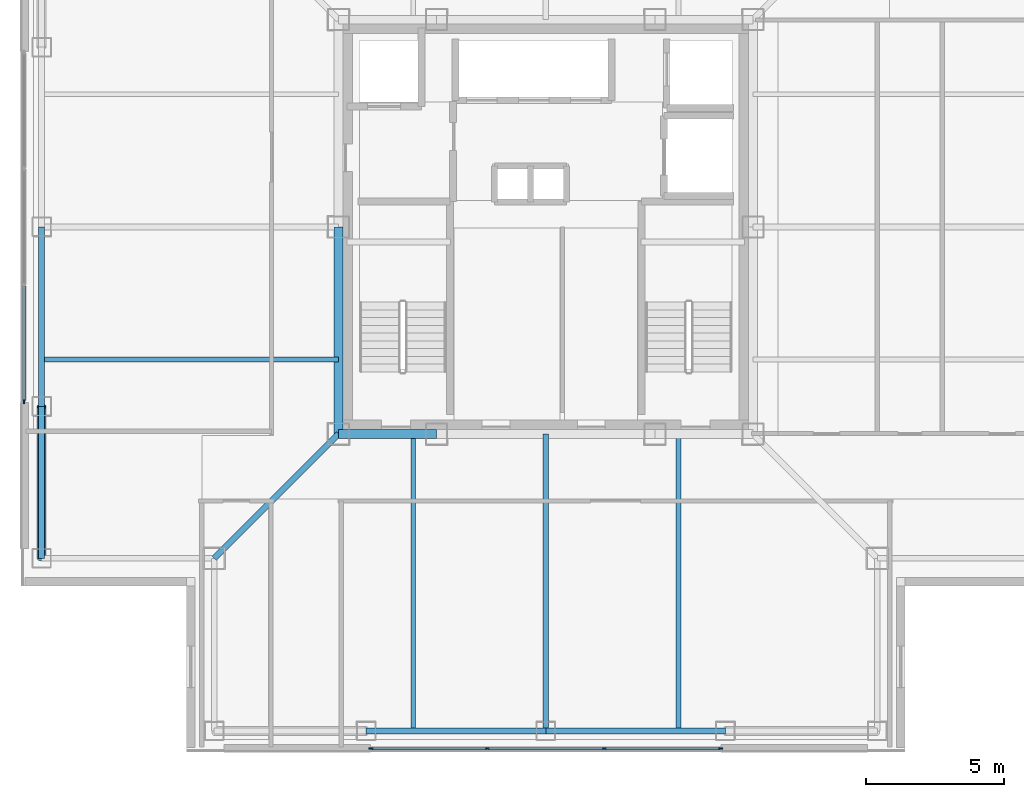
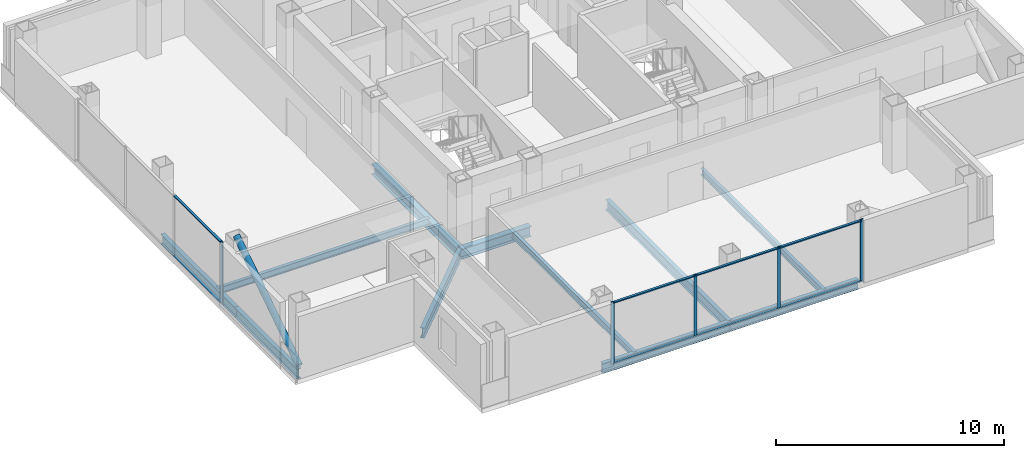
# One storey, part 2 of 16: 14 members, 11 beams, 2 elements without a shape of their own.
"""IFC4 building model written with IfcOpenShell, lengths in metres."""

from ifc_helpers import new_model, si_unit, direction, frame, origin, origin_2d, place, context, subcontext, project, spatial, rectangle, hollow_circle, i_section, extrude, material, layer, layer_set, material_profile, profile_set, type_object, element, aggregate, save


model = new_model("IFC4")

# Units and contexts
model_context = context("Model", 3, precision=1e-05, world=origin(), true_north=direction((0.0, 1.0)))
body_context = subcontext(model_context, "Body", "Model", "MODEL_VIEW")
ifc_project = project(units=[si_unit("LENGTHUNIT", "METRE"), si_unit("AREAUNIT", "SQUARE_METRE"), si_unit("VOLUMEUNIT", "CUBIC_METRE"), si_unit("PLANEANGLEUNIT", "RADIAN"), si_unit("MASSUNIT", "GRAM", prefix="KILO")], contexts=[model_context])

# Site, building, storey
site_placement = place(None, origin())
site = spatial("IfcSite", under=ifc_project, at=site_placement, CompositionType="ELEMENT")
building_placement = place(site_placement, origin())
building = spatial("IfcBuilding", under=site, at=building_placement, Name="Trevonay Congress Spire", CompositionType="ELEMENT")
storey_placement = place(building_placement, frame((0.0, 0.0, 246.800048828125)))
storey = spatial("IfcBuildingStorey", under=building, at=storey_placement, Name="L64", CompositionType="ELEMENT", Elevation=246.800048828125)

# Beams
ifc_material_1 = material(Name="Steel ASTM A572 Grade 50", Category="steel")
ifc_material_profile_1 = material_profile(ifc_material_1, i_section(OverallWidth=0.2119140625, OverallDepth=0.5439453125, WebThickness=0.01318359375, FlangeThickness=0.021240234375, FilletRadius=0.014892578125, at=origin_2d()), Name="W530x123")
ifc_profile_set_1 = profile_set([ifc_material_profile_1], Name="Steel ASTM A572 Grade 50")
beam_type_1 = type_object("IfcBeamType", Name="BM-GIRD-W530X123", PredefinedType="BEAM", material=ifc_profile_set_1)
beam_1_placement = place(storey_placement, frame((-7.5, -7.5, -0.511962890625), z_axis=(-0.707106781187, -0.707106781187, 0.0), x_axis=(0.707106781187, -0.707106781187, 0.0)))
element("IfcBeam", 1, at=beam_1_placement, inside=storey, type_object=beam_type_1, Name="L64 structural beam BM-L64-CDSW", PredefinedType="BEAM", context=body_context, shape_type="SweptSolid", body=[
    extrude(i_section(OverallWidth=0.2119140625, OverallDepth=0.5439453125, WebThickness=0.01318359375, FlangeThickness=0.021240234375, FilletRadius=0.014892578125, at=origin_2d()), origin(), (0.0, 0.0, 1.0), 6.364013671875),
])
beam_2_placement = place(storey_placement, frame((0.0, -7.5, -0.511962890625), z_axis=(0.0, -1.0, 0.0), x_axis=(1.0, 0.0, 0.0)))
element("IfcBeam", 2, at=beam_2_placement, inside=storey, type_object=beam_type_1, Name="L64 structural beam BM-L64-GC-S", PredefinedType="BEAM", context=body_context, shape_type="SweptSolid", body=[
    extrude(i_section(OverallWidth=0.2119140625, OverallDepth=0.5439453125, WebThickness=0.01318359375, FlangeThickness=0.021240234375, FilletRadius=0.014892578125, at=origin_2d()), origin(), (0.0, 0.0, 1.0), 10.75),
])
ifc_material_profile_2 = material_profile(ifc_material_1, i_section(OverallWidth=0.31201171875, OverallDepth=0.54296875, WebThickness=0.0126953125, FlangeThickness=0.020263671875, FilletRadius=0.014892578125, at=origin_2d()), Name="W530x150")
ifc_profile_set_2 = profile_set([ifc_material_profile_2], Name="Steel ASTM A572 Grade 50")
beam_type_2 = type_object("IfcBeamType", Name="BM-GIRD-W530X150", PredefinedType="BEAM", material=ifc_profile_set_2)
beam_3_placement = place(storey_placement, frame((-7.5, -7.5, -0.511474609375), z_axis=(1.0, 0.0, 0.0), x_axis=(0.0, 1.0, 0.0)))
element("IfcBeam", 3, at=beam_3_placement, inside=storey, type_object=beam_type_2, Name="L64 structural beam BM-L64-CR-S1", PredefinedType="BEAM", context=body_context, shape_type="SweptSolid", body=[
    extrude(i_section(OverallWidth=0.31201171875, OverallDepth=0.54296875, WebThickness=0.0126953125, FlangeThickness=0.020263671875, FilletRadius=0.014892578125, at=origin_2d()), origin(), (0.0, 0.0, 1.0), 3.550048828125),
])
beam_4_placement = place(storey_placement, frame((-7.5, -7.5, -0.511474609375), z_axis=(0.0, 1.0, 0.0), x_axis=(-1.0, 0.0, 0.0)))
element("IfcBeam", 4, at=beam_4_placement, inside=storey, type_object=beam_type_2, Name="L64 structural beam BM-L64-CR-W1", PredefinedType="BEAM", context=body_context, shape_type="SweptSolid", body=[
    extrude(i_section(OverallWidth=0.31201171875, OverallDepth=0.54296875, WebThickness=0.0126953125, FlangeThickness=0.020263671875, FilletRadius=0.014892578125, at=origin_2d()), origin(), (0.0, 0.0, 1.0), 7.5),
])
ifc_material_profile_3 = material_profile(ifc_material_1, i_section(OverallWidth=0.208984375, OverallDepth=0.532958984375, WebThickness=0.01025390625, FlangeThickness=0.015625, FilletRadius=0.014892578125, at=origin_2d()), Name="W530x92")
ifc_profile_set_3 = profile_set([ifc_material_profile_3], Name="Steel ASTM A572 Grade 50")
beam_type_3 = type_object("IfcBeamType", Name="BM-RING-W530X92", PredefinedType="BEAM", material=ifc_profile_set_3)
beam_5_placement = place(storey_placement, frame((-18.25, -12.0, -0.506591796875), z_axis=(0.0, 1.0, 0.0), x_axis=(-1.0, 0.0, 0.0)))
element("IfcBeam", 5, at=beam_5_placement, inside=storey, type_object=beam_type_3, Name="L64 structural beam BM-L64-PW1", PredefinedType="BEAM", context=body_context, shape_type="SweptSolid", body=[
    extrude(i_section(OverallWidth=0.208984375, OverallDepth=0.532958984375, WebThickness=0.01025390625, FlangeThickness=0.015625, FilletRadius=0.014892578125, at=origin_2d()), origin(), (0.0, 0.0, 1.0), 5.5),
])
for number, where, z_axis, x_axis, name in (
    (6, (-6.5, -18.25, -0.506591796875), (1.0, 0.0, 0.0), (0.0, 1.0, 0.0), "L64 structural beam BM-L64-PS2"),
    (7, (-18.25, -6.5, -0.506591796875), (0.0, 1.0, 0.0), (-1.0, 0.0, 0.0), "L64 structural beam BM-L64-PW2"),
    (8, (0.0, -18.25, -0.506591796875), (1.0, 0.0, 0.0), (0.0, 1.0, 0.0), "L64 structural beam BM-L64-PS3"),
):
    element("IfcBeam", number, at=place(storey_placement, frame(where, z_axis=z_axis, x_axis=x_axis)), inside=storey, type_object=beam_type_3, Name=name, PredefinedType="BEAM", context=body_context, shape_type="SweptSolid", body=[
        extrude(i_section(OverallWidth=0.208984375, OverallDepth=0.532958984375, WebThickness=0.01025390625, FlangeThickness=0.015625, FilletRadius=0.014892578125, at=origin_2d()), origin(), (0.0, 0.0, 1.0), 6.5),
    ])

# Curtain wall, members
ifc_material_2 = material(Name="Pale Anodised Aluminium EN AW-6063-T6", Category="aluminium")
ifc_layer = layer(ifc_material_2, 0.1650390625, Name="Pale Anodised Aluminium EN AW-6063-T6")
ifc_layer_set = layer_set([ifc_layer], Name="Pale Anodised Aluminium EN AW-6063-T6")
curtain_wall_type = type_object("IfcCurtainWallType", Name="CW-SYS05-DIPLOM-PALE-METAL", PredefinedType="NOTDEFINED", material=ifc_layer_set)
curtain_wall_1_placement = place(storey_placement, origin())
curtain_wall_1 = element("IfcCurtainWall", 9, at=curtain_wall_1_placement, inside=storey, type_object=curtain_wall_type, Name="L64 S unitised curtain wall", PredefinedType="NOTDEFINED")
ifc_material_profile_4 = material_profile(ifc_material_2, rectangle(XDim=0.06005859375, YDim=0.159912109375, at=origin_2d()), Name="CW-MULLION-160-ALUMINIUM")
ifc_profile_set_4 = profile_set([ifc_material_profile_4], Name="Pale Anodised Aluminium EN AW-6063-T6")
member_type_1 = type_object("IfcMemberType", Name="CW-MULLION-160-ALUMINIUM", PredefinedType="MULLION", material=ifc_profile_set_4)
member_1_placement = place(storey_placement, frame((-6.320068359375, -18.8798828125, 0.0), z_axis=(0.0, 0.0, 1.0), x_axis=(0.0, 1.0, 0.0)))
member_1 = element("IfcMember", 10, at=member_1_placement, type_object=member_type_1, Name="CW05 mullion 1", PredefinedType="MULLION", context=body_context, shape_type="SweptSolid", body=[
    extrude(rectangle(XDim=0.06005859375, YDim=0.159912109375, at=origin_2d()), origin(), (0.0, 0.0, 1.0), 3.35986328125),
])
member_2_placement = place(storey_placement, frame((-2.11669921875, -18.8798828125, 0.0), z_axis=(0.0, 0.0, 1.0), x_axis=(0.0, 1.0, 0.0)))
member_2 = element("IfcMember", 11, at=member_2_placement, type_object=member_type_1, Name="CW05 mullion 2", PredefinedType="MULLION", context=body_context, shape_type="SweptSolid", body=[
    extrude(rectangle(XDim=0.06005859375, YDim=0.159912109375, at=origin_2d()), origin(), (0.0, 0.0, 1.0), 3.35986328125),
])
member_3_placement = place(storey_placement, frame((2.11669921875, -18.8798828125, 0.0), z_axis=(0.0, 0.0, 1.0), x_axis=(0.0, 1.0, 0.0)))
member_3 = element("IfcMember", 12, at=member_3_placement, type_object=member_type_1, Name="CW05 mullion 3", PredefinedType="MULLION", context=body_context, shape_type="SweptSolid", body=[
    extrude(rectangle(XDim=0.06005859375, YDim=0.159912109375, at=origin_2d()), origin(), (0.0, 0.0, 1.0), 3.35986328125),
])
member_4_placement = place(storey_placement, frame((6.320068359375, -18.8798828125, 0.0), z_axis=(0.0, 0.0, 1.0), x_axis=(0.0, 1.0, 0.0)))
member_4 = element("IfcMember", 13, at=member_4_placement, type_object=member_type_1, Name="CW05 mullion 4", PredefinedType="MULLION", context=body_context, shape_type="SweptSolid", body=[
    extrude(rectangle(XDim=0.06005859375, YDim=0.159912109375, at=origin_2d()), origin(), (0.0, 0.0, 1.0), 3.35986328125),
])

# Curtain wall, member
curtain_wall_2_placement = place(storey_placement, origin())
curtain_wall_2 = element("IfcCurtainWall", 14, at=curtain_wall_2_placement, inside=storey, type_object=curtain_wall_type, Name="L64 W unitised curtain wall", PredefinedType="NOTDEFINED")
member_5_placement = place(storey_placement, frame((-18.8798828125, -6.320068359375, 0.0), z_axis=(0.0, 0.0, 1.0), x_axis=(-1.0, 0.0, 0.0)))
member_5 = element("IfcMember", 15, at=member_5_placement, type_object=member_type_1, Name="CW05 mullion 1", PredefinedType="MULLION", context=body_context, shape_type="SweptSolid", body=[
    extrude(rectangle(XDim=0.06005859375, YDim=0.159912109375, at=origin_2d()), origin(), (0.0, 0.0, 1.0), 3.35986328125),
])

# Member
ifc_material_profile_5 = material_profile(ifc_material_2, rectangle(XDim=0.1201171875, YDim=0.06005859375, at=origin_2d()), Name="CW-TRANSOM-120-ALUMINIUM")
ifc_profile_set_5 = profile_set([ifc_material_profile_5], Name="Pale Anodised Aluminium EN AW-6063-T6")
member_type_2 = type_object("IfcMemberType", Name="CW-TRANSOM-120-ALUMINIUM", PredefinedType="USERDEFINED", material=ifc_profile_set_5)
member_6_placement = place(storey_placement, frame((-6.2900390625, -18.8798828125, 0.06005859375), z_axis=(1.0, 0.0, 0.0), x_axis=(0.0, 1.0, 0.0)))
member_6 = element("IfcMember", 16, at=member_6_placement, type_object=member_type_2, Name="CW05 transom 1.1", ObjectType="TRANSOM", PredefinedType="USERDEFINED", context=body_context, shape_type="SweptSolid", body=[
    extrude(rectangle(XDim=0.1201171875, YDim=0.06005859375, at=origin_2d()), origin(), (0.0, 0.0, 1.0), 4.143310546875),
])

member_7_placement = place(storey_placement, frame((-6.2900390625, -18.8798828125, 3.300048828125), z_axis=(1.0, 0.0, 0.0), x_axis=(0.0, 1.0, 0.0)))
member_7 = element("IfcMember", 17, at=member_7_placement, type_object=member_type_2, Name="CW05 transom 1.2", ObjectType="TRANSOM", PredefinedType="USERDEFINED", context=body_context, shape_type="SweptSolid", body=[
    extrude(rectangle(XDim=0.1201171875, YDim=0.06005859375, at=origin_2d()), origin(), (0.0, 0.0, 1.0), 4.143310546875),
])

member_8_placement = place(storey_placement, frame((-2.086669921875, -18.8798828125, 0.06005859375), z_axis=(1.0, 0.0, 0.0), x_axis=(0.0, 1.0, 0.0)))
member_8 = element("IfcMember", 18, at=member_8_placement, type_object=member_type_2, Name="CW05 transom 2.1", ObjectType="TRANSOM", PredefinedType="USERDEFINED", context=body_context, shape_type="SweptSolid", body=[
    extrude(rectangle(XDim=0.1201171875, YDim=0.06005859375, at=origin_2d()), origin(), (0.0, 0.0, 1.0), 4.17333984375),
])

member_9_placement = place(storey_placement, frame((-2.086669921875, -18.8798828125, 3.300048828125), z_axis=(1.0, 0.0, 0.0), x_axis=(0.0, 1.0, 0.0)))
member_9 = element("IfcMember", 19, at=member_9_placement, type_object=member_type_2, Name="CW05 transom 2.2", ObjectType="TRANSOM", PredefinedType="USERDEFINED", context=body_context, shape_type="SweptSolid", body=[
    extrude(rectangle(XDim=0.1201171875, YDim=0.06005859375, at=origin_2d()), origin(), (0.0, 0.0, 1.0), 4.17333984375),
])

member_10_placement = place(storey_placement, frame((2.146728515625, -18.8798828125, 0.06005859375), z_axis=(1.0, 0.0, 0.0), x_axis=(0.0, 1.0, 0.0)))
member_10 = element("IfcMember", 20, at=member_10_placement, type_object=member_type_2, Name="CW05 transom 3.1", ObjectType="TRANSOM", PredefinedType="USERDEFINED", context=body_context, shape_type="SweptSolid", body=[
    extrude(rectangle(XDim=0.1201171875, YDim=0.06005859375, at=origin_2d()), origin(), (0.0, 0.0, 1.0), 4.143310546875),
])

member_11_placement = place(storey_placement, frame((2.146728515625, -18.8798828125, 3.300048828125), z_axis=(1.0, 0.0, 0.0), x_axis=(0.0, 1.0, 0.0)))
member_11 = element("IfcMember", 21, at=member_11_placement, type_object=member_type_2, Name="CW05 transom 3.2", ObjectType="TRANSOM", PredefinedType="USERDEFINED", context=body_context, shape_type="SweptSolid", body=[
    extrude(rectangle(XDim=0.1201171875, YDim=0.06005859375, at=origin_2d()), origin(), (0.0, 0.0, 1.0), 4.143310546875),
])

aggregate(curtain_wall_1, [member_1, member_2, member_3, member_4, member_6, member_7, member_8, member_9, member_10, member_11])

member_12_placement = place(storey_placement, frame((-18.8798828125, -6.2900390625, 0.06005859375), z_axis=(0.0, 1.0, 0.0), x_axis=(-1.0, 0.0, 0.0)))
member_12 = element("IfcMember", 22, at=member_12_placement, type_object=member_type_2, Name="CW05 transom 1.1", ObjectType="TRANSOM", PredefinedType="USERDEFINED", context=body_context, shape_type="SweptSolid", body=[
    extrude(rectangle(XDim=0.1201171875, YDim=0.06005859375, at=origin_2d()), origin(), (0.0, 0.0, 1.0), 4.143310546875),
])

member_13_placement = place(storey_placement, frame((-18.8798828125, -6.2900390625, 3.300048828125), z_axis=(0.0, 1.0, 0.0), x_axis=(-1.0, 0.0, 0.0)))
member_13 = element("IfcMember", 23, at=member_13_placement, type_object=member_type_2, Name="CW05 transom 1.2", ObjectType="TRANSOM", PredefinedType="USERDEFINED", context=body_context, shape_type="SweptSolid", body=[
    extrude(rectangle(XDim=0.1201171875, YDim=0.06005859375, at=origin_2d()), origin(), (0.0, 0.0, 1.0), 4.143310546875),
])

aggregate(curtain_wall_2, [member_5, member_12, member_13])

# Beams
ifc_material_profile_6 = material_profile(ifc_material_1, i_section(OverallWidth=0.172119140625, OverallDepth=0.35791015625, WebThickness=0.0078125, FlangeThickness=0.01318359375, FilletRadius=0.011962890625, at=origin_2d()), Name="W360x57.8")
ifc_profile_set_6 = profile_set([ifc_material_profile_6], Name="Steel ASTM A572 Grade 50")
beam_type_4 = type_object("IfcBeamType", Name="JS-COMP-W360X57", PredefinedType="JOIST", material=ifc_profile_set_6)
for number, where, z_axis, x_axis, name in (
    (24, (-4.800048828125, -18.25, -0.4189453125), (0.0, 1.0, 0.0), (-1.0, 0.0, 0.0), "L64 structural beam JS-L64-NS-S1"),
    (25, (-18.25, -4.800048828125, -0.4189453125), (1.0, 0.0, 0.0), (0.0, 1.0, 0.0), "L64 structural beam JS-L64-EW-W1"),
    (26, (4.800048828125, -18.25, -0.4189453125), (0.0, 1.0, 0.0), (-1.0, 0.0, 0.0), "L64 structural beam JS-L64-NS-S3"),
):
    element("IfcBeam", number, at=place(storey_placement, frame(where, z_axis=z_axis, x_axis=x_axis)), inside=storey, type_object=beam_type_4, Name=name, PredefinedType="JOIST", context=body_context, shape_type="SweptSolid", body=[
        extrude(i_section(OverallWidth=0.172119140625, OverallDepth=0.35791015625, WebThickness=0.0078125, FlangeThickness=0.01318359375, FilletRadius=0.011962890625, at=origin_2d()), origin(), (0.0, 0.0, 1.0), 10.75),
    ])

# Member
ifc_material_3 = material(Name="Steel ASTM A500 Grade C", Category="steel")
ifc_material_profile_7 = material_profile(ifc_material_3, hollow_circle(Radius=0.161865234375, WallThickness=0.01611328125, at=origin_2d()), Name="CHS 323.9x16")
ifc_profile_set_7 = profile_set([ifc_material_profile_7], Name="Steel ASTM A500 Grade C")
member_type_3 = type_object("IfcMemberType", Name="MBR-TUBE-CHS324", PredefinedType="BRACE", material=ifc_profile_set_7)
member_14_placement = place(storey_placement, frame((-18.25, -12.0, -0.050048828125), z_axis=(0.0, 0.836694709366, 0.547669574943), x_axis=(-1.0, 0.0, 0.0)))
element("IfcMember", 27, at=member_14_placement, inside=storey, type_object=member_type_3, Name="L64 perimeter braced-tube diagonal W0", PredefinedType="BRACE", context=body_context, shape_type="SweptSolid", body=[
    extrude(hollow_circle(Radius=0.161865234375, WallThickness=0.01611328125, at=origin_2d()), origin(), (0.0, 0.0, 1.0), 6.573486328125),
])

save(model, "model.ifc")
